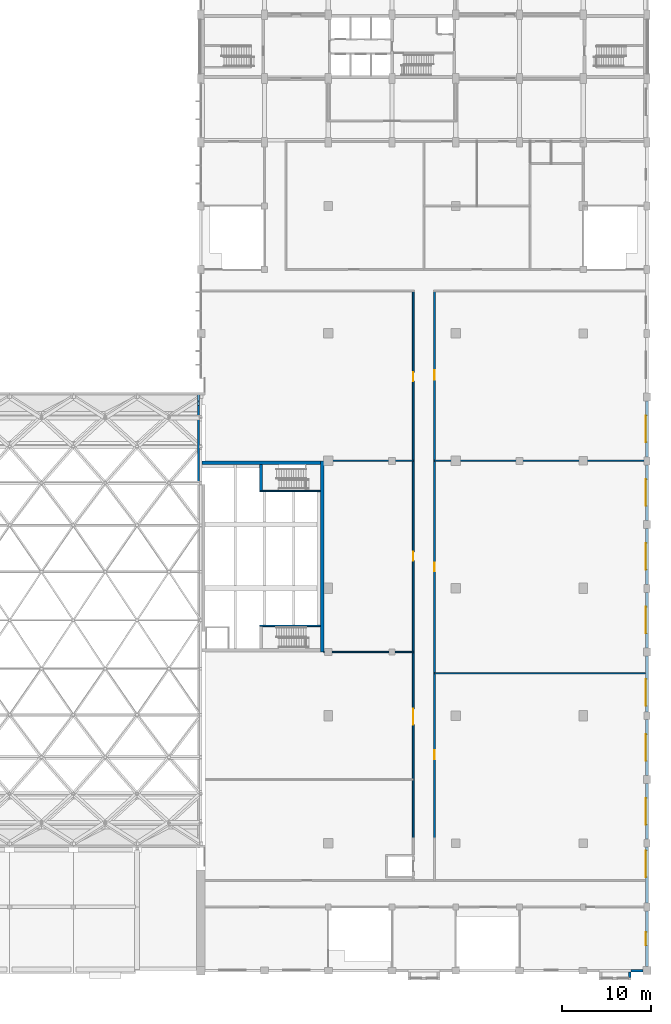
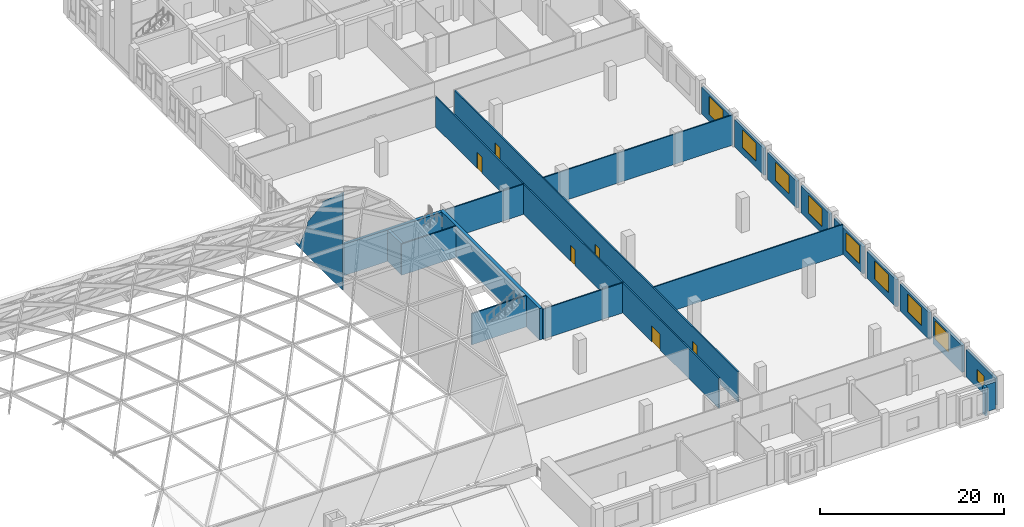
# One storey, part 35 of 52: 23 walls, 9 windows, 6 doors, 15 openings.
"""IFC4 building model written with IfcOpenShell, lengths in metres."""

import ifcopenshell
import ifcopenshell.guid

model = None  # the IFC model being written
_history = None  # IfcOwnerHistory: only IFC2X3 demands one
_inside = {}  # id of a spatial element -> (the spatial element, [elements in it])
_under = {}  # id of a project, library or spatial element -> (it, [spatial elements below it])
_declared = {}  # id of a project -> (the project, [libraries it declares])
_typed = {}  # id of a type object -> (the type object, [elements of that type])
_made_of = {}  # id of a material, layer set ... -> (it, [elements and type objects made of it])


def new_model(schema):
    """Start an empty IFC model of exactly this schema.

    Asked for "IFC4X3", IfcOpenShell would pick the latest addendum, in which some entities
    have other attributes; the version numbers below select the first issue.
    IFC2X3 requires an IfcOwnerHistory on every rooted entity: one is made here for all.
    """
    global model, _history
    if schema == "IFC4X3":
        model = ifcopenshell.file(schema_version=(4, 3, 0, 0))
    else:
        model = ifcopenshell.file(schema=schema)
    _inside.clear()
    _under.clear()
    _declared.clear()
    _typed.clear()
    _made_of.clear()
    _history = None
    if model.schema == "IFC2X3":
        org = make("IfcOrganization", Name="unknown")
        user = make(
            "IfcPersonAndOrganization",
            ThePerson=make("IfcPerson", FamilyName="unknown"),
            TheOrganization=org,
        )
        app = make(
            "IfcApplication",
            ApplicationDeveloper=org,
            Version="unknown",
            ApplicationFullName="unknown",
            ApplicationIdentifier="unknown",
        )
        _history = make(
            "IfcOwnerHistory",
            OwningUser=user,
            OwningApplication=app,
            ChangeAction="ADDED",
            CreationDate=0,
        )
    return model


def make(cls, **values):
    """One entity of the class cls with the attributes given. An attribute that is None is left unset."""
    return model.create_entity(
        cls, **{name: value for name, value in values.items() if value is not None}
    )


def rooted(cls, **values):
    """An entity with a GlobalId (a new one), such as an element, a storey or a relation."""
    return make(cls, GlobalId=ifcopenshell.guid.new(), OwnerHistory=_history, **values)


def si_unit(unit_type, name, prefix=None):
    """IfcSIUnit, for example si_unit("LENGTHUNIT", "METRE", prefix="MILLI")."""
    return make("IfcSIUnit", UnitType=unit_type, Prefix=prefix, Name=name)


def assignment(units):
    """IfcUnitAssignment: the units of a project."""
    return None if units is None else make("IfcUnitAssignment", Units=units)


def point(xyz):
    """IfcCartesianPoint."""
    return None if xyz is None else make("IfcCartesianPoint", Coordinates=xyz)


def direction(xyz):
    """IfcDirection."""
    return None if xyz is None else make("IfcDirection", DirectionRatios=xyz)


def frame(location, z_axis=None, x_axis=None):
    """IfcAxis2Placement3D, a coordinate frame: its origin and axes. An axis left out is left unset."""
    return make(
        "IfcAxis2Placement3D",
        Location=point(location),
        Axis=direction(z_axis),
        RefDirection=direction(x_axis),
    )


def frame_2d(location, x_axis=None):
    """IfcAxis2Placement2D, a coordinate frame in the plane: its origin and x axis."""
    return make(
        "IfcAxis2Placement2D", Location=point(location), RefDirection=direction(x_axis)
    )


def origin():
    """The frame at (0, 0, 0) with its axes left unset."""
    return frame((0.0, 0.0, 0.0))


def place(relative_to, where):
    """IfcLocalPlacement: puts the frame where relative to a parent placement (None: the world)."""
    return make(
        "IfcLocalPlacement", PlacementRelTo=relative_to, RelativePlacement=where
    )


def context(
    kind, dimensions, precision=None, world=None, true_north=None, identifier=None
):
    """IfcGeometricRepresentationContext, for example the 3D "Model" context."""
    return make(
        "IfcGeometricRepresentationContext",
        ContextIdentifier=identifier,
        ContextType=kind,
        CoordinateSpaceDimension=dimensions,
        Precision=precision,
        WorldCoordinateSystem=world,
        TrueNorth=true_north,
    )


def subcontext(parent, identifier, kind, view, scale=None):
    """IfcGeometricRepresentationSubContext, for example "Body" below "Model"."""
    return make(
        "IfcGeometricRepresentationSubContext",
        ContextIdentifier=identifier,
        ContextType=kind,
        ParentContext=parent,
        TargetScale=scale,
        TargetView=view,
    )


def project(units=None, contexts=None):
    """IfcProject with its units and contexts."""
    return rooted(
        "IfcProject",
        Name="project",
        RepresentationContexts=contexts,
        UnitsInContext=assignment(units),
    )


def spatial(cls, under=None, at=None, **own):
    """A site, building, storey or space (cls), placed at a placement, below another one or the project."""
    s = rooted(cls, ObjectPlacement=at, **own)
    if under is not None:
        _under.setdefault(under.id(), (under, []))[1].append(s)
    return s


def polyline(points):
    """IfcPolyline through the points."""
    return make("IfcPolyline", Points=[point(p) for p in points])


def profile(cls, at=None, kind="AREA", **sizes):
    """A parametric profile (cls). Its sizes go by their IFC names, for example OverallWidth=200.0."""
    return make(cls, ProfileType=kind, Position=at, **sizes)


def rectangle(**sizes):
    """IfcRectangleProfileDef."""
    return profile("IfcRectangleProfileDef", **sizes)


def outline(outer, holes=None, kind="AREA"):
    """IfcArbitraryClosedProfileDef: a profile drawn as a closed curve; with holes, ...WithVoids."""
    if holes is None:
        return make("IfcArbitraryClosedProfileDef", ProfileType=kind, OuterCurve=outer)
    return make(
        "IfcArbitraryProfileDefWithVoids",
        ProfileType=kind,
        OuterCurve=outer,
        InnerCurves=holes,
    )


def extrude(swept, where, along, depth):
    """IfcExtrudedAreaSolid: the profile swept, set in the frame where, extruded along a direction by depth."""
    return make(
        "IfcExtrudedAreaSolid",
        SweptArea=swept,
        Position=where,
        ExtrudedDirection=direction(along),
        Depth=depth,
    )


def shape(context_of_items, identifier, shape_type, items):
    """IfcShapeRepresentation: the items that make up one representation, for example the "Body"."""
    return make(
        "IfcShapeRepresentation",
        ContextOfItems=context_of_items,
        RepresentationIdentifier=identifier,
        RepresentationType=shape_type,
        Items=items,
    )


def material(Name=None, Category=None):
    """IfcMaterial."""
    return make("IfcMaterial", Name=Name, Category=Category)


def layer(
    of_material, thickness, ventilated=None, Name=None, Category=None, Priority=None
):
    """IfcMaterialLayer: one layer of a wall or slab, of a material (None: an air gap)."""
    return make(
        "IfcMaterialLayer",
        Material=of_material,
        LayerThickness=thickness,
        IsVentilated=ventilated,
        Name=Name,
        Category=Category,
        Priority=Priority,
    )


def layer_set(layers, Name=None):
    """IfcMaterialLayerSet."""
    return make("IfcMaterialLayerSet", MaterialLayers=layers, LayerSetName=Name)


def made_of(thing, what):
    """Note that an element or type object is made of a material, layer set ...; save() writes the relation."""
    if what is not None:
        _made_of.setdefault(what.id(), (what, []))[1].append(thing)
    return thing


def type_object(cls, material=None, **own):
    """A type object (cls), such as IfcWallType, which elements share."""
    return made_of(rooted(cls, **own), material)


def element(
    cls,
    number,
    at=None,
    inside=None,
    cuts=None,
    type_object=None,
    material=None,
    context=None,
    identifier="Body",
    shape_type=None,
    held_by="IfcProductDefinitionShape",
    body=None,
    shapes=None,
    **own,
):
    """One element of the class cls, such as IfcWall. Its Tag is "e" and its number.

    at: its placement. inside: the storey or other place that contains it. cuts: it is an
    opening in that element (IfcRelVoidsElement). A single representation is given by context,
    identifier, shape_type and body (its items); several are given by shapes. held_by: the class
    of the entity that holds the representations. save() writes the other relations.
    """
    e = rooted(cls, Tag="e%d" % number, ObjectPlacement=at, **own)
    if body is not None:
        shapes = [shape(context, identifier, shape_type, body)]
    if shapes is not None:
        e.Representation = make(held_by, Representations=shapes)
    if inside is not None:
        _inside.setdefault(inside.id(), (inside, []))[1].append(e)
    if cuts is not None:
        rooted(
            "IfcRelVoidsElement", RelatingBuildingElement=cuts, RelatedOpeningElement=e
        )
    if type_object is not None:
        _typed.setdefault(type_object.id(), (type_object, []))[1].append(e)
    return made_of(e, material)


def fill(opening, filler):
    """IfcRelFillsElement: the door or window that sits in an opening."""
    return rooted(
        "IfcRelFillsElement",
        RelatingOpeningElement=opening,
        RelatedBuildingElement=filler,
    )


def aggregate(whole, parts):
    """IfcRelAggregates: a whole, such as a stair, and the parts it consists of."""
    return rooted("IfcRelAggregates", RelatingObject=whole, RelatedObjects=parts)


def save(model, path):
    """Write the relations noted so far, then the file.

    IfcRelAggregates (storeys below a building ...), IfcRelContainedInSpatialStructure (elements
    in a storey), IfcRelDefinesByType, IfcRelAssociatesMaterial and IfcRelDeclares: one each for
    every whole, place, type object, material and project.
    """
    for whole, parts in _under.values():
        aggregate(whole, parts)
    for where, things in _inside.values():
        rooted(
            "IfcRelContainedInSpatialStructure",
            RelatedElements=things,
            RelatingStructure=where,
        )
    for kind, things in _typed.values():
        rooted("IfcRelDefinesByType", RelatedObjects=things, RelatingType=kind)
    for what, things in _made_of.values():
        rooted("IfcRelAssociatesMaterial", RelatedObjects=things, RelatingMaterial=what)
    for by, libraries in _declared.values():
        rooted("IfcRelDeclares", RelatingContext=by, RelatedDefinitions=libraries)
    model.write(path)


model = new_model("IFC4")

# Units and contexts
model_context = context("Model", 3, precision=1e-05, world=origin(), true_north=direction((0.0, 1.0)))
body_context = subcontext(model_context, "Body", "Model", "MODEL_VIEW")
ifc_project = project(units=[si_unit("LENGTHUNIT", "METRE"), si_unit("AREAUNIT", "SQUARE_METRE"), si_unit("VOLUMEUNIT", "CUBIC_METRE"), si_unit("PLANEANGLEUNIT", "RADIAN"), si_unit("MASSUNIT", "GRAM", prefix="KILO")], contexts=[model_context])

# Site, building, storey
site_placement = place(None, origin())
site = spatial("IfcSite", under=ifc_project, at=site_placement, CompositionType="ELEMENT")
building_placement = place(site_placement, origin())
building = spatial("IfcBuilding", under=site, at=building_placement, Name="Vermilion Court Aquatics Centre", CompositionType="ELEMENT")
storey_placement = place(building_placement, frame((0.0, 0.0, 12.0)))
storey = spatial("IfcBuildingStorey", under=building, at=storey_placement, Name="L02", CompositionType="ELEMENT", Elevation=12.0)

# Walls
ifc_material_1 = material(Name="Concrete 8000 psi", Category="concrete")
ifc_layer_1 = layer(ifc_material_1, 0.39990234375)
ifc_layer_set_1 = layer_set([ifc_layer_1], Name="Diving Tower shell wall 400")
wall_type_1 = type_object("IfcWallType", Name="Diving Tower shell wall 400", PredefinedType="SHEAR", material=ifc_layer_set_1)
wall_1_placement = place(storey_placement, frame((157.699951171875, 36.0, 0.0), z_axis=(0.0, 0.0, 1.0), x_axis=(0.0, 1.0, 0.0)))
element("IfcWall", 1, at=wall_1_placement, inside=storey, type_object=wall_type_1, Name="Diving Tower shell wall east L02", PredefinedType="SHEAR", context=body_context, shape_type="SweptSolid", body=[
    extrude(rectangle(XDim=21.60009765625, YDim=0.39990234375, at=frame_2d((10.800048828125, 0.0))), origin(), (0.0, 0.0, 1.0), 4.14990234375),
])
wall_2_placement = place(storey_placement, frame((144.110107421875, 57.39990234375, 0.0), z_axis=(0.0, 0.0, 1.0), x_axis=(1.0, 0.0, 0.0)))
element("IfcWall", 2, at=wall_2_placement, inside=storey, type_object=wall_type_1, Name="Diving Tower shell wall north L02", PredefinedType="SHEAR", context=body_context, shape_type="SweptSolid", body=[
    extrude(rectangle(XDim=13.389892578125, YDim=0.39990234375, at=frame_2d((6.69482421875, 0.0))), origin(), (0.0, 0.0, 1.0), 4.14990234375),
])
ifc_material_2 = material(Name="Concrete 5000 psi", Category="concrete")
ifc_layer_2 = layer(ifc_material_2, 0.14990234375)
ifc_layer_set_2 = layer_set([ifc_layer_2], Name="Diving Tower stair lane wall 150")
wall_type_2 = type_object("IfcWallType", Name="Diving Tower stair lane wall 150", PredefinedType="SHEAR", material=ifc_layer_set_2)
for number, where, z_axis, x_axis, name in (
    (3, (150.64990234375, 38.949951171875, 0.0), (0.0, 0.0, 1.0), (1.0, 0.0, 0.0), "Diving Tower stair 1 lane wall L02"),
    (4, (150.64990234375, 54.199951171875, 0.0), (0.0, 0.0, 1.0), (1.0, 0.0, 0.0), "Diving Tower stair 2 lane wall L02"),
):
    element("IfcWall", number, at=place(storey_placement, frame(where, z_axis=z_axis, x_axis=x_axis)), inside=storey, type_object=wall_type_2, Name=name, PredefinedType="SHEAR", context=body_context, shape_type="SweptSolid", body=[
        extrude(rectangle(XDim=6.85009765625, YDim=0.14990234375, at=frame_2d((3.425048828125, 0.0))), origin(), (0.0, 0.0, 1.0), 4.14990234375),
    ])
ifc_material_3 = material(Name="Concrete 8000 psi", Category="concrete")
ifc_layer_3 = layer(ifc_material_3, 0.300048828125)
ifc_layer_set_3 = layer_set([ifc_layer_3], Name="Diving Tower stair wall 300")
wall_type_3 = type_object("IfcWallType", Name="Diving Tower stair wall 300", PredefinedType="SHEAR", material=ifc_layer_set_3)
wall_3_placement = place(storey_placement, frame((150.800048828125, 54.27490234375, 0.0), z_axis=(0.0, 0.0, 1.0), x_axis=(0.0, 1.0, 0.0)))
element("IfcWall", 5, at=wall_3_placement, inside=storey, type_object=wall_type_3, Name="Diving Tower stair 2 west wall L02", PredefinedType="SHEAR", context=body_context, shape_type="SweptSolid", body=[
    extrude(rectangle(XDim=2.925048828125, YDim=0.300048828125, at=frame_2d((1.46240234375, 0.0))), origin(), (0.0, 0.0, 1.0), 4.14990234375),
])
ifc_material_4 = material(Name="Brick masonry", Category="masonry")
ifc_layer_4 = layer(ifc_material_4, 0.219970703125)
ifc_layer_set_4 = layer_set([ifc_layer_4], Name="Envelope brick separation spandrel 220")
wall_type_4 = type_object("IfcWallType", Name="Envelope brick separation spandrel 220", PredefinedType="SOLIDWALL", material=ifc_layer_set_4)
wall_4_placement = place(storey_placement, frame((143.75, 54.89990234375, 0.0), z_axis=(0.0, 0.0, 1.0), x_axis=(0.0, 1.0, 0.0)))
element("IfcWall", 6, at=wall_4_placement, inside=storey, type_object=wall_type_4, Name="Gable spandrel east", PredefinedType="SOLIDWALL", context=body_context, shape_type="SweptSolid", body=[
    extrude(outline(polyline([(0.0, 0.0), (10.400146484375, 0.0), (10.39990234375, 0.080078125), (9.482666015625, 0.080078125), (7.590087890625, 4.16748046875), (7.590087890625, 4.485595703125), (4.300048828125, 8.898681640625), (4.300048828125, 9.1845703125), (0.179931640625, 12.823486328125), (0.179931640625, 12.887939453125), (0.0, 12.990234375), (0.0, 0.0)])), frame((0.0, 0.10986328125, 0.0), z_axis=(0.0, -1.0, 0.0), x_axis=(1.0, 0.0, 0.0)), (0.0, 0.0, 1.0), 0.219970703125),
])

# Wall, openings, doors
ifc_material_5 = material(Name="Concrete masonry ASTM C90 Type I", Category="masonry")
ifc_layer_5 = layer(ifc_material_5, 0.175048828125)
ifc_layer_set_5 = layer_set([ifc_layer_5], Name="Podium corridor wall 175, 1 hr")
wall_type_5 = type_object("IfcWallType", Name="Podium corridor wall 175, 1 hr", PredefinedType="PARTITIONING", material=ifc_layer_set_5)
wall_5_placement = place(storey_placement, frame((168.0, 15.0, 0.0), z_axis=(0.0, 0.0, 1.0), x_axis=(0.0, 1.0, 0.0)))
wall_5 = element("IfcWall", 7, at=wall_5_placement, inside=storey, type_object=wall_type_5, Name="Corridor wall", PredefinedType="PARTITIONING", context=body_context, shape_type="SweptSolid", body=[
    extrude(rectangle(XDim=61.71240234375, YDim=0.175048828125, at=frame_2d((30.856201171875, 0.0))), origin(), (0.0, 0.0, 1.0), 4.0),
])
opening_1_placement = place(wall_5_placement, frame((12.798583984375, 0.0, 0.0)))
opening_1 = element("IfcOpeningElement", 8, at=opening_1_placement, cuts=wall_5, Name="Opening P02-007", PredefinedType="OPENING", context=body_context, shape_type="SweptSolid", body=[
    extrude(rectangle(XDim=1.800048828125, YDim=2.10009765625, at=frame_2d((0.89990234375, 1.050048828125))), frame((0.0, 0.097412109375, 0.0), z_axis=(0.0, -1.0, 0.0), x_axis=(1.0, 0.0, 0.0)), (0.0, 0.0, 1.0), 0.195068359375),
])
opening_2_placement = place(wall_5_placement, frame((31.300048828125, 0.0, 0.0)))
opening_2 = element("IfcOpeningElement", 9, at=opening_2_placement, cuts=wall_5, Name="Opening P02-008", PredefinedType="OPENING", context=body_context, shape_type="SweptSolid", body=[
    extrude(rectangle(XDim=1.0, YDim=2.10009765625, at=frame_2d((0.5, 1.050048828125))), frame((0.0, 0.097412109375, 0.0), z_axis=(0.0, -1.0, 0.0), x_axis=(1.0, 0.0, 0.0)), (0.0, 0.0, 1.0), 0.195068359375),
])
opening_3_placement = place(wall_5_placement, frame((51.598876953125, 0.0, 0.0)))
opening_3 = element("IfcOpeningElement", 10, at=opening_3_placement, cuts=wall_5, Name="Opening P02-009", PredefinedType="OPENING", context=body_context, shape_type="SweptSolid", body=[
    extrude(rectangle(XDim=1.0, YDim=2.10009765625, at=frame_2d((0.5, 1.050048828125))), frame((0.0, 0.097412109375, 0.0), z_axis=(0.0, -1.0, 0.0), x_axis=(1.0, 0.0, 0.0)), (0.0, 0.0, 1.0), 0.195068359375),
])
ifc_material_6 = material(Name="Hollow metal")
door_type_1 = type_object("IfcDoorType", Name="Podium fire door leaf 1000x2100, 60 min", OperationType="NOTDEFINED", PredefinedType="DOOR", material=ifc_material_6)
door_1_placement = place(opening_2_placement, origin())
door_1 = element("IfcDoor", 11, at=door_1_placement, inside=storey, type_object=door_type_1, Name="Door", OperationType="SINGLE_SWING_RIGHT", OverallHeight=2.10009765625, OverallWidth=1.0, PredefinedType="DOOR", context=body_context, shape_type="SweptSolid", body=[
    extrude(rectangle(XDim=1.0, YDim=2.10009765625, at=frame_2d((0.5, 1.050048828125))), frame((0.0, 0.02490234375, 0.0), z_axis=(0.0, -1.0, 0.0), x_axis=(1.0, 0.0, 0.0)), (0.0, 0.0, 1.0), 0.050048828125),
])
fill(opening_2, door_1)
door_2_placement = place(opening_3_placement, frame((1.0, 0.0, 0.0), z_axis=(0.0, 0.0, 1.0), x_axis=(-1.0, 0.0, 0.0)))
door_2 = element("IfcDoor", 12, at=door_2_placement, inside=storey, type_object=door_type_1, Name="Door", OperationType="SINGLE_SWING_RIGHT", OverallHeight=2.10009765625, OverallWidth=1.0, PredefinedType="DOOR", context=body_context, shape_type="SweptSolid", body=[
    extrude(rectangle(XDim=1.0, YDim=2.10009765625, at=frame_2d((0.5, 1.050048828125))), frame((0.0, 0.025146484375, 0.0), z_axis=(0.0, -1.0, 0.0), x_axis=(1.0, 0.0, 0.0)), (0.0, 0.0, 1.0), 0.050048828125),
])
fill(opening_3, door_2)
ifc_material_7 = material(Name="Hollow metal")
door_type_2 = type_object("IfcDoorType", Name="Podium fire door pair 1800x2100, 60 min", OperationType="DOUBLE_DOOR_SINGLE_SWING", PredefinedType="DOOR", material=ifc_material_7)
door_3_placement = place(opening_1_placement, origin())
door_3 = element("IfcDoor", 13, at=door_3_placement, inside=storey, type_object=door_type_2, Name="Door", OperationType="DOUBLE_DOOR_SINGLE_SWING", OverallHeight=2.10009765625, OverallWidth=1.800048828125, PredefinedType="DOOR", context=body_context, shape_type="SweptSolid", body=[
    extrude(rectangle(XDim=1.800048828125, YDim=2.10009765625, at=frame_2d((0.89990234375, 1.050048828125))), frame((0.0, 0.02490234375, 0.0), z_axis=(0.0, -1.0, 0.0), x_axis=(1.0, 0.0, 0.0)), (0.0, 0.0, 1.0), 0.050048828125),
])
fill(opening_1, door_3)

wall_6_placement = place(storey_placement, frame((170.39990234375, 15.0, 0.0), z_axis=(0.0, 0.0, 1.0), x_axis=(0.0, 1.0, 0.0)))
wall_6 = element("IfcWall", 14, at=wall_6_placement, inside=storey, type_object=wall_type_5, Name="Corridor wall", PredefinedType="PARTITIONING", context=body_context, shape_type="SweptSolid", body=[
    extrude(rectangle(XDim=61.71240234375, YDim=0.175048828125, at=frame_2d((30.856201171875, 0.0))), origin(), (0.0, 0.0, 1.0), 4.0),
])
opening_4_placement = place(wall_6_placement, frame((8.89990234375, 0.0, 0.0)))
opening_4 = element("IfcOpeningElement", 15, at=opening_4_placement, cuts=wall_6, Name="Opening P02-010", PredefinedType="OPENING", context=body_context, shape_type="SweptSolid", body=[
    extrude(rectangle(XDim=1.0, YDim=2.10009765625, at=frame_2d((0.5, 1.050048828125))), frame((0.0, 0.097412109375, 0.0), z_axis=(0.0, -1.0, 0.0), x_axis=(1.0, 0.0, 0.0)), (0.0, 0.0, 1.0), 0.195068359375),
])
opening_5_placement = place(wall_6_placement, frame((30.10009765625, 0.0, 0.0)))
opening_5 = element("IfcOpeningElement", 16, at=opening_5_placement, cuts=wall_6, Name="Opening P02-011", PredefinedType="OPENING", context=body_context, shape_type="SweptSolid", body=[
    extrude(rectangle(XDim=1.0, YDim=2.10009765625, at=frame_2d((0.5, 1.050048828125))), frame((0.0, 0.097412109375, 0.0), z_axis=(0.0, -1.0, 0.0), x_axis=(1.0, 0.0, 0.0)), (0.0, 0.0, 1.0), 0.195068359375),
])
opening_6_placement = place(wall_6_placement, frame((51.751220703125, 0.0, 0.0)))
opening_6 = element("IfcOpeningElement", 17, at=opening_6_placement, cuts=wall_6, Name="Opening P02-012", PredefinedType="OPENING", context=body_context, shape_type="SweptSolid", body=[
    extrude(rectangle(XDim=1.10009765625, YDim=2.39990234375, at=frame_2d((0.550048828125, 1.199951171875))), frame((0.0, 0.097412109375, 0.0), z_axis=(0.0, -1.0, 0.0), x_axis=(1.0, 0.0, 0.0)), (0.0, 0.0, 1.0), 0.195068359375),
])
ifc_material_8 = material(Name="Hollow metal")
door_type_3 = type_object("IfcDoorType", Name="Podium fire door community room 1100x2400, 60 min", OperationType="SINGLE_SWING_LEFT", PredefinedType="DOOR", material=ifc_material_8)
door_4_placement = place(opening_6_placement, frame((1.10009765625, 0.0, 0.0), z_axis=(0.0, 0.0, 1.0), x_axis=(-1.0, 0.0, 0.0)))
door_4 = element("IfcDoor", 18, at=door_4_placement, inside=storey, type_object=door_type_3, Name="Door", OperationType="SINGLE_SWING_LEFT", OverallHeight=2.39990234375, OverallWidth=1.10009765625, PredefinedType="DOOR", context=body_context, shape_type="SweptSolid", body=[
    extrude(rectangle(XDim=1.10009765625, YDim=2.39990234375, at=frame_2d((0.550048828125, 1.199951171875))), frame((0.0, 0.025146484375, 0.0), z_axis=(0.0, -1.0, 0.0), x_axis=(1.0, 0.0, 0.0)), (0.0, 0.0, 1.0), 0.050048828125),
])
fill(opening_6, door_4)
door_5_placement = place(opening_4_placement, frame((1.0, 0.0, 0.0), z_axis=(0.0, 0.0, 1.0), x_axis=(-1.0, 0.0, 0.0)))
door_5 = element("IfcDoor", 19, at=door_5_placement, inside=storey, type_object=door_type_1, Name="Door", OperationType="SINGLE_SWING_RIGHT", OverallHeight=2.10009765625, OverallWidth=1.0, PredefinedType="DOOR", context=body_context, shape_type="SweptSolid", body=[
    extrude(rectangle(XDim=1.0, YDim=2.10009765625, at=frame_2d((0.5, 1.050048828125))), frame((0.0, 0.025146484375, 0.0), z_axis=(0.0, -1.0, 0.0), x_axis=(1.0, 0.0, 0.0)), (0.0, 0.0, 1.0), 0.050048828125),
])
fill(opening_4, door_5)
door_6_placement = place(opening_5_placement, origin())
door_6 = element("IfcDoor", 20, at=door_6_placement, inside=storey, type_object=door_type_1, Name="Door", OperationType="SINGLE_SWING_LEFT", OverallHeight=2.10009765625, OverallWidth=1.0, PredefinedType="DOOR", context=body_context, shape_type="SweptSolid", body=[
    extrude(rectangle(XDim=1.0, YDim=2.10009765625, at=frame_2d((0.5, 1.050048828125))), frame((0.0, 0.02490234375, 0.0), z_axis=(0.0, -1.0, 0.0), x_axis=(1.0, 0.0, 0.0)), (0.0, 0.0, 1.0), 0.050048828125),
])
fill(opening_5, door_6)

# Wall
ifc_material_9 = material(Name="Brick masonry", Category="masonry")
ifc_layer_6 = layer(ifc_material_9, 0.300048828125)
ifc_layer_set_6 = layer_set([ifc_layer_6], Name="Podium facade brick wall 300")
wall_type_6 = type_object("IfcWallType", Name="Podium facade brick wall 300", PredefinedType="SOLIDWALL", material=ifc_layer_set_6)
wall_7_placement = place(storey_placement, frame((192.60009765625, 0.0, 0.0), z_axis=(0.0, 0.0, 1.0), x_axis=(1.0, 0.0, 0.0)))
element("IfcWall", 21, at=wall_7_placement, inside=storey, type_object=wall_type_6, Name="Facade wall L02", PredefinedType="SOLIDWALL", context=body_context, shape_type="SweptSolid", body=[
    extrude(rectangle(XDim=1.349853515625, YDim=0.300048828125, at=frame_2d((0.6748046875, 0.0))), origin(), (0.0, 0.0, 1.0), 3.60009765625),
])

# Wall, opening, window
wall_8_placement = place(storey_placement, frame((194.39990234375, 0.449951171875, 0.0), z_axis=(0.0, 0.0, 1.0), x_axis=(0.0, 1.0, 0.0)))
wall_8 = element("IfcWall", 22, at=wall_8_placement, inside=storey, type_object=wall_type_6, Name="Facade wall L02", PredefinedType="SOLIDWALL", context=body_context, shape_type="SweptSolid", body=[
    extrude(rectangle(XDim=6.300048828125, YDim=0.300048828125, at=frame_2d((3.14990234375, 0.0))), origin(), (0.0, 0.0, 1.0), 3.60009765625),
])
opening_7_placement = place(wall_8_placement, frame((2.39990234375, 0.0, 0.89990234375)))
opening_7 = element("IfcOpeningElement", 23, at=opening_7_placement, cuts=wall_8, Name="Opening PN6", PredefinedType="OPENING", context=body_context, shape_type="SweptSolid", body=[
    extrude(rectangle(XDim=1.5, YDim=1.5, at=frame_2d((0.75, 0.75))), frame((0.0, 0.159912109375, 0.0), z_axis=(0.0, -1.0, 0.0), x_axis=(1.0, 0.0, 0.0)), (0.0, 0.0, 1.0), 0.320068359375),
])
ifc_material_10 = material(Name="Aluminium 6063-T5", Category="aluminium")
window_type_1 = type_object("IfcWindowType", Name="Podium window 1500x1500", PartitioningType="SINGLE_PANEL", PredefinedType="WINDOW", material=ifc_material_10)
window_1_placement = place(opening_7_placement, origin())
window_1 = element("IfcWindow", 24, at=window_1_placement, inside=storey, type_object=window_type_1, Name="Window L02", OverallHeight=1.5, OverallWidth=1.5, PartitioningType="SINGLE_PANEL", PredefinedType="WINDOW", context=body_context, shape_type="SweptSolid", body=[
    extrude(rectangle(XDim=1.5, YDim=1.5, at=frame_2d((0.75, 0.75))), frame((0.0, 0.1201171875, 0.0), z_axis=(0.0, -1.0, 0.0), x_axis=(1.0, 0.0, 0.0)), (0.0, 0.0, 1.0), 0.06005859375),
])
fill(opening_7, window_1)

wall_9_placement = place(storey_placement, frame((194.39990234375, 7.64990234375, 0.0), z_axis=(0.0, 0.0, 1.0), x_axis=(0.0, 1.0, 0.0)))
wall_9 = element("IfcWall", 25, at=wall_9_placement, inside=storey, type_object=wall_type_6, Name="Facade wall L02", PredefinedType="SOLIDWALL", context=body_context, shape_type="SweptSolid", body=[
    extrude(rectangle(XDim=6.300048828125, YDim=0.300048828125, at=frame_2d((3.14990234375, 0.0))), origin(), (0.0, 0.0, 1.0), 3.60009765625),
])
opening_8_placement = place(wall_9_placement, frame((2.925048828125, 0.0, 0.89990234375)))
opening_8 = element("IfcOpeningElement", 26, at=opening_8_placement, cuts=wall_9, Name="Opening PN1", PredefinedType="OPENING", context=body_context, shape_type="SweptSolid", body=[
    extrude(rectangle(XDim=3.0, YDim=2.39990234375, at=frame_2d((1.5, 1.199951171875))), frame((0.0, 0.159912109375, 0.0), z_axis=(0.0, -1.0, 0.0), x_axis=(1.0, 0.0, 0.0)), (0.0, 0.0, 1.0), 0.320068359375),
])
ifc_material_11 = material(Name="Aluminium 6063-T5", Category="aluminium")
window_type_2 = type_object("IfcWindowType", Name="Podium window 3000x2400", PartitioningType="DOUBLE_PANEL_VERTICAL", PredefinedType="WINDOW", material=ifc_material_11)
window_2_placement = place(opening_8_placement, origin())
window_2 = element("IfcWindow", 27, at=window_2_placement, inside=storey, type_object=window_type_2, Name="Window L02", OverallHeight=2.39990234375, OverallWidth=3.0, PartitioningType="DOUBLE_PANEL_VERTICAL", PredefinedType="WINDOW", context=body_context, shape_type="SweptSolid", body=[
    extrude(rectangle(XDim=3.0, YDim=2.39990234375, at=frame_2d((1.5, 1.199951171875))), frame((0.0, 0.1201171875, 0.0), z_axis=(0.0, -1.0, 0.0), x_axis=(1.0, 0.0, 0.0)), (0.0, 0.0, 1.0), 0.06005859375),
])
fill(opening_8, window_2)

wall_10_placement = place(storey_placement, frame((194.39990234375, 14.85009765625, 0.0), z_axis=(0.0, 0.0, 1.0), x_axis=(0.0, 1.0, 0.0)))
wall_10 = element("IfcWall", 28, at=wall_10_placement, inside=storey, type_object=wall_type_6, Name="Facade wall L02", PredefinedType="SOLIDWALL", context=body_context, shape_type="SweptSolid", body=[
    extrude(rectangle(XDim=6.2998046875, YDim=0.300048828125, at=frame_2d((3.14990234375, 0.0))), origin(), (0.0, 0.0, 1.0), 3.60009765625),
])
opening_9_placement = place(wall_10_placement, frame((1.64990234375, 0.0, 0.89990234375)))
opening_9 = element("IfcOpeningElement", 29, at=opening_9_placement, cuts=wall_10, Name="Opening PN1", PredefinedType="OPENING", context=body_context, shape_type="SweptSolid", body=[
    extrude(rectangle(XDim=3.0, YDim=2.39990234375, at=frame_2d((1.5, 1.199951171875))), frame((0.0, 0.159912109375, 0.0), z_axis=(0.0, -1.0, 0.0), x_axis=(1.0, 0.0, 0.0)), (0.0, 0.0, 1.0), 0.320068359375),
])
window_3_placement = place(opening_9_placement, origin())
window_3 = element("IfcWindow", 30, at=window_3_placement, inside=storey, type_object=window_type_2, Name="Window L02", OverallHeight=2.39990234375, OverallWidth=3.0, PartitioningType="DOUBLE_PANEL_VERTICAL", PredefinedType="WINDOW", context=body_context, shape_type="SweptSolid", body=[
    extrude(rectangle(XDim=3.0, YDim=2.39990234375, at=frame_2d((1.5, 1.199951171875))), frame((0.0, 0.1201171875, 0.0), z_axis=(0.0, -1.0, 0.0), x_axis=(1.0, 0.0, 0.0)), (0.0, 0.0, 1.0), 0.06005859375),
])
fill(opening_9, window_3)

wall_11_placement = place(storey_placement, frame((194.39990234375, 22.050048828125, 0.0), z_axis=(0.0, 0.0, 1.0), x_axis=(0.0, 1.0, 0.0)))
wall_11 = element("IfcWall", 31, at=wall_11_placement, inside=storey, type_object=wall_type_6, Name="Facade wall L02", PredefinedType="SOLIDWALL", context=body_context, shape_type="SweptSolid", body=[
    extrude(rectangle(XDim=6.300048828125, YDim=0.300048828125, at=frame_2d((3.14990234375, 0.0))), origin(), (0.0, 0.0, 1.0), 3.60009765625),
])
opening_10_placement = place(wall_11_placement, frame((1.64990234375, 0.0, 0.89990234375)))
opening_10 = element("IfcOpeningElement", 32, at=opening_10_placement, cuts=wall_11, Name="Opening PN1", PredefinedType="OPENING", context=body_context, shape_type="SweptSolid", body=[
    extrude(rectangle(XDim=3.0, YDim=2.39990234375, at=frame_2d((1.5, 1.199951171875))), frame((0.0, 0.159912109375, 0.0), z_axis=(0.0, -1.0, 0.0), x_axis=(1.0, 0.0, 0.0)), (0.0, 0.0, 1.0), 0.320068359375),
])
window_4_placement = place(opening_10_placement, origin())
window_4 = element("IfcWindow", 33, at=window_4_placement, inside=storey, type_object=window_type_2, Name="Window L02", OverallHeight=2.39990234375, OverallWidth=3.0, PartitioningType="DOUBLE_PANEL_VERTICAL", PredefinedType="WINDOW", context=body_context, shape_type="SweptSolid", body=[
    extrude(rectangle(XDim=3.0, YDim=2.39990234375, at=frame_2d((1.5, 1.199951171875))), frame((0.0, 0.1201171875, 0.0), z_axis=(0.0, -1.0, 0.0), x_axis=(1.0, 0.0, 0.0)), (0.0, 0.0, 1.0), 0.06005859375),
])
fill(opening_10, window_4)

wall_12_placement = place(storey_placement, frame((194.39990234375, 29.25, 0.0), z_axis=(0.0, 0.0, 1.0), x_axis=(0.0, 1.0, 0.0)))
wall_12 = element("IfcWall", 34, at=wall_12_placement, inside=storey, type_object=wall_type_6, Name="Facade wall L02", PredefinedType="SOLIDWALL", context=body_context, shape_type="SweptSolid", body=[
    extrude(rectangle(XDim=6.300048828125, YDim=0.300048828125, at=frame_2d((3.14990234375, 0.0))), origin(), (0.0, 0.0, 1.0), 3.60009765625),
])
opening_11_placement = place(wall_12_placement, frame((0.675048828125, 0.0, 0.89990234375)))
opening_11 = element("IfcOpeningElement", 35, at=opening_11_placement, cuts=wall_12, Name="Opening PN1", PredefinedType="OPENING", context=body_context, shape_type="SweptSolid", body=[
    extrude(rectangle(XDim=3.0, YDim=2.39990234375, at=frame_2d((1.5, 1.199951171875))), frame((0.0, 0.159912109375, 0.0), z_axis=(0.0, -1.0, 0.0), x_axis=(1.0, 0.0, 0.0)), (0.0, 0.0, 1.0), 0.320068359375),
])
window_5_placement = place(opening_11_placement, origin())
window_5 = element("IfcWindow", 36, at=window_5_placement, inside=storey, type_object=window_type_2, Name="Window L02", OverallHeight=2.39990234375, OverallWidth=3.0, PartitioningType="DOUBLE_PANEL_VERTICAL", PredefinedType="WINDOW", context=body_context, shape_type="SweptSolid", body=[
    extrude(rectangle(XDim=3.0, YDim=2.39990234375, at=frame_2d((1.5, 1.199951171875))), frame((0.0, 0.1201171875, 0.0), z_axis=(0.0, -1.0, 0.0), x_axis=(1.0, 0.0, 0.0)), (0.0, 0.0, 1.0), 0.06005859375),
])
fill(opening_11, window_5)

wall_13_placement = place(storey_placement, frame((194.39990234375, 36.449951171875, 0.0), z_axis=(0.0, 0.0, 1.0), x_axis=(0.0, 1.0, 0.0)))
wall_13 = element("IfcWall", 37, at=wall_13_placement, inside=storey, type_object=wall_type_6, Name="Facade wall L02", PredefinedType="SOLIDWALL", context=body_context, shape_type="SweptSolid", body=[
    extrude(rectangle(XDim=6.300048828125, YDim=0.300048828125, at=frame_2d((3.14990234375, 0.0))), origin(), (0.0, 0.0, 1.0), 3.60009765625),
])
opening_12_placement = place(wall_13_placement, frame((1.64990234375, 0.0, 0.89990234375)))
opening_12 = element("IfcOpeningElement", 38, at=opening_12_placement, cuts=wall_13, Name="Opening PN1", PredefinedType="OPENING", context=body_context, shape_type="SweptSolid", body=[
    extrude(rectangle(XDim=3.0, YDim=2.39990234375, at=frame_2d((1.5, 1.199951171875))), frame((0.0, 0.159912109375, 0.0), z_axis=(0.0, -1.0, 0.0), x_axis=(1.0, 0.0, 0.0)), (0.0, 0.0, 1.0), 0.320068359375),
])
window_6_placement = place(opening_12_placement, origin())
window_6 = element("IfcWindow", 39, at=window_6_placement, inside=storey, type_object=window_type_2, Name="Window L02", OverallHeight=2.39990234375, OverallWidth=3.0, PartitioningType="DOUBLE_PANEL_VERTICAL", PredefinedType="WINDOW", context=body_context, shape_type="SweptSolid", body=[
    extrude(rectangle(XDim=3.0, YDim=2.39990234375, at=frame_2d((1.5, 1.199951171875))), frame((0.0, 0.1201171875, 0.0), z_axis=(0.0, -1.0, 0.0), x_axis=(1.0, 0.0, 0.0)), (0.0, 0.0, 1.0), 0.06005859375),
])
fill(opening_12, window_6)

wall_14_placement = place(storey_placement, frame((194.39990234375, 43.64990234375, 0.0), z_axis=(0.0, 0.0, 1.0), x_axis=(0.0, 1.0, 0.0)))
wall_14 = element("IfcWall", 40, at=wall_14_placement, inside=storey, type_object=wall_type_6, Name="Facade wall L02", PredefinedType="SOLIDWALL", context=body_context, shape_type="SweptSolid", body=[
    extrude(rectangle(XDim=6.300048828125, YDim=0.300048828125, at=frame_2d((3.14990234375, 0.0))), origin(), (0.0, 0.0, 1.0), 3.60009765625),
])
opening_13_placement = place(wall_14_placement, frame((1.64990234375, 0.0, 0.89990234375)))
opening_13 = element("IfcOpeningElement", 41, at=opening_13_placement, cuts=wall_14, Name="Opening PN1", PredefinedType="OPENING", context=body_context, shape_type="SweptSolid", body=[
    extrude(rectangle(XDim=3.0, YDim=2.39990234375, at=frame_2d((1.5, 1.199951171875))), frame((0.0, 0.159912109375, 0.0), z_axis=(0.0, -1.0, 0.0), x_axis=(1.0, 0.0, 0.0)), (0.0, 0.0, 1.0), 0.320068359375),
])
window_7_placement = place(opening_13_placement, origin())
window_7 = element("IfcWindow", 42, at=window_7_placement, inside=storey, type_object=window_type_2, Name="Window L02", OverallHeight=2.39990234375, OverallWidth=3.0, PartitioningType="DOUBLE_PANEL_VERTICAL", PredefinedType="WINDOW", context=body_context, shape_type="SweptSolid", body=[
    extrude(rectangle(XDim=3.0, YDim=2.39990234375, at=frame_2d((1.5, 1.199951171875))), frame((0.0, 0.1201171875, 0.0), z_axis=(0.0, -1.0, 0.0), x_axis=(1.0, 0.0, 0.0)), (0.0, 0.0, 1.0), 0.06005859375),
])
fill(opening_13, window_7)

wall_15_placement = place(storey_placement, frame((194.39990234375, 50.85009765625, 0.0), z_axis=(0.0, 0.0, 1.0), x_axis=(0.0, 1.0, 0.0)))
wall_15 = element("IfcWall", 43, at=wall_15_placement, inside=storey, type_object=wall_type_6, Name="Facade wall L02", PredefinedType="SOLIDWALL", context=body_context, shape_type="SweptSolid", body=[
    extrude(rectangle(XDim=6.2998046875, YDim=0.300048828125, at=frame_2d((3.14990234375, 0.0))), origin(), (0.0, 0.0, 1.0), 3.60009765625),
])
opening_14_placement = place(wall_15_placement, frame((1.64990234375, 0.0, 0.89990234375)))
opening_14 = element("IfcOpeningElement", 44, at=opening_14_placement, cuts=wall_15, Name="Opening PN1", PredefinedType="OPENING", context=body_context, shape_type="SweptSolid", body=[
    extrude(rectangle(XDim=3.0, YDim=2.39990234375, at=frame_2d((1.5, 1.199951171875))), frame((0.0, 0.159912109375, 0.0), z_axis=(0.0, -1.0, 0.0), x_axis=(1.0, 0.0, 0.0)), (0.0, 0.0, 1.0), 0.320068359375),
])
window_8_placement = place(opening_14_placement, origin())
window_8 = element("IfcWindow", 45, at=window_8_placement, inside=storey, type_object=window_type_2, Name="Window L02", OverallHeight=2.39990234375, OverallWidth=3.0, PartitioningType="DOUBLE_PANEL_VERTICAL", PredefinedType="WINDOW", context=body_context, shape_type="SweptSolid", body=[
    extrude(rectangle(XDim=3.0, YDim=2.39990234375, at=frame_2d((1.5, 1.199951171875))), frame((0.0, 0.1201171875, 0.0), z_axis=(0.0, -1.0, 0.0), x_axis=(1.0, 0.0, 0.0)), (0.0, 0.0, 1.0), 0.06005859375),
])
fill(opening_14, window_8)

wall_16_placement = place(storey_placement, frame((194.39990234375, 58.050048828125, 0.0), z_axis=(0.0, 0.0, 1.0), x_axis=(0.0, 1.0, 0.0)))
wall_16 = element("IfcWall", 46, at=wall_16_placement, inside=storey, type_object=wall_type_6, Name="Facade wall L02", PredefinedType="SOLIDWALL", context=body_context, shape_type="SweptSolid", body=[
    extrude(rectangle(XDim=6.300048828125, YDim=0.300048828125, at=frame_2d((3.14990234375, 0.0))), origin(), (0.0, 0.0, 1.0), 3.60009765625),
])
opening_15_placement = place(wall_16_placement, frame((1.64990234375, 0.0, 0.89990234375)))
opening_15 = element("IfcOpeningElement", 47, at=opening_15_placement, cuts=wall_16, Name="Opening PN1", PredefinedType="OPENING", context=body_context, shape_type="SweptSolid", body=[
    extrude(rectangle(XDim=3.0, YDim=2.39990234375, at=frame_2d((1.5, 1.199951171875))), frame((0.0, 0.159912109375, 0.0), z_axis=(0.0, -1.0, 0.0), x_axis=(1.0, 0.0, 0.0)), (0.0, 0.0, 1.0), 0.320068359375),
])
window_9_placement = place(opening_15_placement, origin())
window_9 = element("IfcWindow", 48, at=window_9_placement, inside=storey, type_object=window_type_2, Name="Window L02", OverallHeight=2.39990234375, OverallWidth=3.0, PartitioningType="DOUBLE_PANEL_VERTICAL", PredefinedType="WINDOW", context=body_context, shape_type="SweptSolid", body=[
    extrude(rectangle(XDim=3.0, YDim=2.39990234375, at=frame_2d((1.5, 1.199951171875))), frame((0.0, 0.1201171875, 0.0), z_axis=(0.0, -1.0, 0.0), x_axis=(1.0, 0.0, 0.0)), (0.0, 0.0, 1.0), 0.06005859375),
])
fill(opening_15, window_9)

# Walls
ifc_material_12 = material(Name="Gypsum board")
ifc_layer_7 = layer(ifc_material_12, 0.14990234375)
ifc_layer_set_7 = layer_set([ifc_layer_7], Name="Podium partition wall 150")
wall_type_7 = type_object("IfcWallType", Name="Podium partition wall 150", PredefinedType="PARTITIONING", material=ifc_layer_set_7)
for number, where, z_axis, x_axis, name in (
    (49, (157.89990234375, 36.0, 0.0), (0.0, 0.0, 1.0), (1.0, 0.0, 0.0), "Partition"),
    (50, (157.89990234375, 57.60009765625, 0.0), (0.0, 0.0, 1.0), (1.0, 0.0, 0.0), "Partition"),
):
    element("IfcWall", number, at=place(storey_placement, frame(where, z_axis=z_axis, x_axis=x_axis)), inside=storey, type_object=wall_type_7, Name=name, PredefinedType="PARTITIONING", context=body_context, shape_type="SweptSolid", body=[
        extrude(rectangle(XDim=10.10009765625, YDim=0.14990234375, at=frame_2d((5.050048828125, 0.0))), origin(), (0.0, 0.0, 1.0), 4.0),
    ])
for number, where, z_axis, x_axis, name in (
    (51, (170.39990234375, 57.60009765625, 0.0), (0.0, 0.0, 1.0), (1.0, 0.0, 0.0), "Partition"),
    (52, (170.39990234375, 33.60009765625, 0.0), (0.0, 0.0, 1.0), (1.0, 0.0, 0.0), "Partition"),
):
    element("IfcWall", number, at=place(storey_placement, frame(where, z_axis=z_axis, x_axis=x_axis)), inside=storey, type_object=wall_type_7, Name=name, PredefinedType="PARTITIONING", context=body_context, shape_type="SweptSolid", body=[
        extrude(rectangle(XDim=23.85009765625, YDim=0.14990234375, at=frame_2d((11.925048828125, 0.0))), origin(), (0.0, 0.0, 1.0), 4.0),
    ])
ifc_material_13 = material(Name="Brick masonry", Category="masonry")
ifc_layer_8 = layer(ifc_material_13, 0.300048828125)
ifc_layer_set_8 = layer_set([ifc_layer_8], Name="Podium projecting bay wall 300")
wall_type_8 = type_object("IfcWallType", Name="Podium projecting bay wall 300", PredefinedType="SOLIDWALL", material=ifc_layer_set_8)
wall_17_placement = place(storey_placement, frame((192.449951171875, -0.75, 0.0), z_axis=(0.0, 0.0, 1.0), x_axis=(0.0, 1.0, 0.0)))
element("IfcWall", 53, at=wall_17_placement, inside=storey, type_object=wall_type_8, Name="Projecting bay side wall L02", PredefinedType="SOLIDWALL", context=body_context, shape_type="SweptSolid", body=[
    extrude(rectangle(XDim=0.60009765625, YDim=0.300048828125, at=frame_2d((0.300048828125, 0.0))), origin(), (0.0, 0.0, 1.0), 3.699951171875),
])

save(model, "model.ifc")
